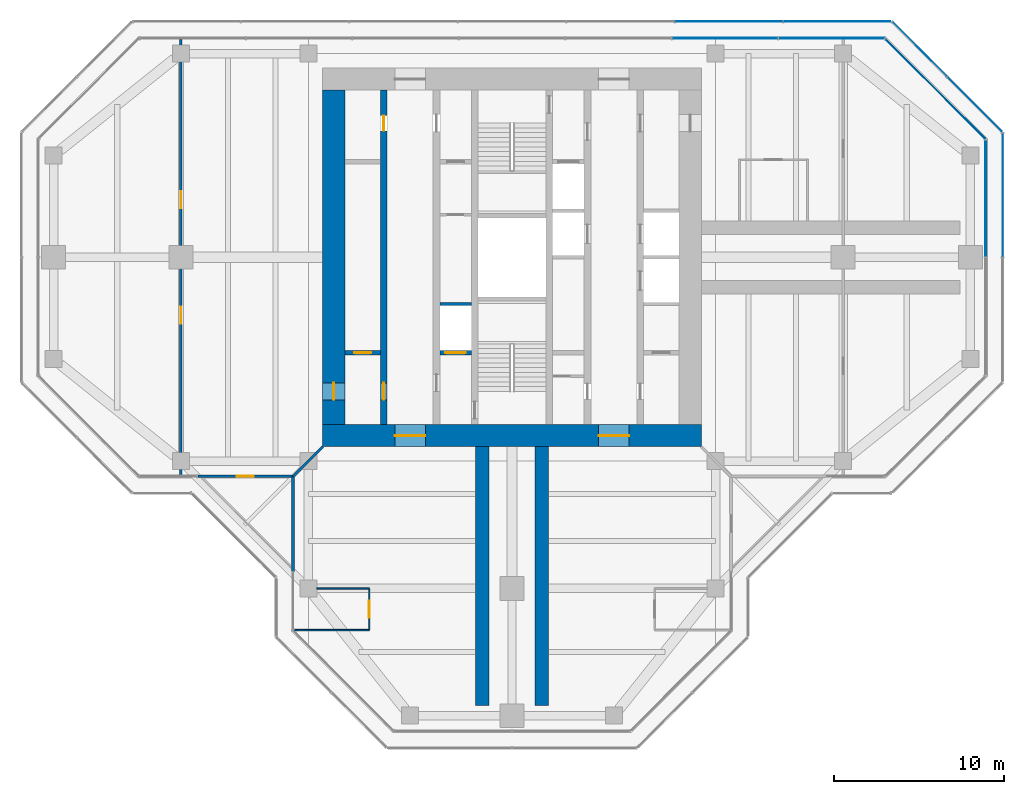
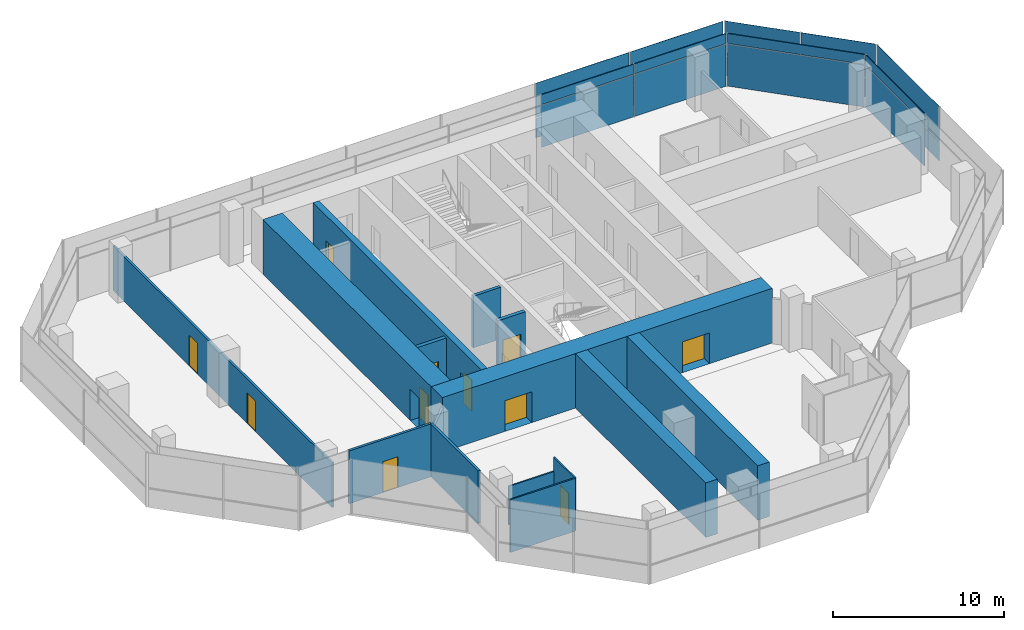
# One storey, part 11 of 15: 18 plates, 15 walls, 11 doors, 11 openings, 6 elements without a shape of their own.
"""IFC4 building model written with IfcOpenShell, lengths in metres."""

import ifcopenshell
import ifcopenshell.guid

model = None  # the IFC model being written
_history = None  # IfcOwnerHistory: only IFC2X3 demands one
_inside = {}  # id of a spatial element -> (the spatial element, [elements in it])
_under = {}  # id of a project, library or spatial element -> (it, [spatial elements below it])
_declared = {}  # id of a project -> (the project, [libraries it declares])
_typed = {}  # id of a type object -> (the type object, [elements of that type])
_made_of = {}  # id of a material, layer set ... -> (it, [elements and type objects made of it])


def new_model(schema):
    """Start an empty IFC model of exactly this schema.

    Asked for "IFC4X3", IfcOpenShell would pick the latest addendum, in which some entities
    have other attributes; the version numbers below select the first issue.
    IFC2X3 requires an IfcOwnerHistory on every rooted entity: one is made here for all.
    """
    global model, _history
    if schema == "IFC4X3":
        model = ifcopenshell.file(schema_version=(4, 3, 0, 0))
    else:
        model = ifcopenshell.file(schema=schema)
    _inside.clear()
    _under.clear()
    _declared.clear()
    _typed.clear()
    _made_of.clear()
    _history = None
    if model.schema == "IFC2X3":
        org = make("IfcOrganization", Name="unknown")
        user = make(
            "IfcPersonAndOrganization",
            ThePerson=make("IfcPerson", FamilyName="unknown"),
            TheOrganization=org,
        )
        app = make(
            "IfcApplication",
            ApplicationDeveloper=org,
            Version="unknown",
            ApplicationFullName="unknown",
            ApplicationIdentifier="unknown",
        )
        _history = make(
            "IfcOwnerHistory",
            OwningUser=user,
            OwningApplication=app,
            ChangeAction="ADDED",
            CreationDate=0,
        )
    return model


def make(cls, **values):
    """One entity of the class cls with the attributes given. An attribute that is None is left unset."""
    return model.create_entity(
        cls, **{name: value for name, value in values.items() if value is not None}
    )


def rooted(cls, **values):
    """An entity with a GlobalId (a new one), such as an element, a storey or a relation."""
    return make(cls, GlobalId=ifcopenshell.guid.new(), OwnerHistory=_history, **values)


def si_unit(unit_type, name, prefix=None):
    """IfcSIUnit, for example si_unit("LENGTHUNIT", "METRE", prefix="MILLI")."""
    return make("IfcSIUnit", UnitType=unit_type, Prefix=prefix, Name=name)


def assignment(units):
    """IfcUnitAssignment: the units of a project."""
    return None if units is None else make("IfcUnitAssignment", Units=units)


def point(xyz):
    """IfcCartesianPoint."""
    return None if xyz is None else make("IfcCartesianPoint", Coordinates=xyz)


def direction(xyz):
    """IfcDirection."""
    return None if xyz is None else make("IfcDirection", DirectionRatios=xyz)


def frame(location, z_axis=None, x_axis=None):
    """IfcAxis2Placement3D, a coordinate frame: its origin and axes. An axis left out is left unset."""
    return make(
        "IfcAxis2Placement3D",
        Location=point(location),
        Axis=direction(z_axis),
        RefDirection=direction(x_axis),
    )


def frame_2d(location, x_axis=None):
    """IfcAxis2Placement2D, a coordinate frame in the plane: its origin and x axis."""
    return make(
        "IfcAxis2Placement2D", Location=point(location), RefDirection=direction(x_axis)
    )


def origin():
    """The frame at (0, 0, 0) with its axes left unset."""
    return frame((0.0, 0.0, 0.0))


def origin_2d():
    """The frame at (0, 0) in the plane with its x axis left unset."""
    return frame_2d((0.0, 0.0))


def place(relative_to, where):
    """IfcLocalPlacement: puts the frame where relative to a parent placement (None: the world)."""
    return make(
        "IfcLocalPlacement", PlacementRelTo=relative_to, RelativePlacement=where
    )


def context(
    kind, dimensions, precision=None, world=None, true_north=None, identifier=None
):
    """IfcGeometricRepresentationContext, for example the 3D "Model" context."""
    return make(
        "IfcGeometricRepresentationContext",
        ContextIdentifier=identifier,
        ContextType=kind,
        CoordinateSpaceDimension=dimensions,
        Precision=precision,
        WorldCoordinateSystem=world,
        TrueNorth=true_north,
    )


def subcontext(parent, identifier, kind, view, scale=None):
    """IfcGeometricRepresentationSubContext, for example "Body" below "Model"."""
    return make(
        "IfcGeometricRepresentationSubContext",
        ContextIdentifier=identifier,
        ContextType=kind,
        ParentContext=parent,
        TargetScale=scale,
        TargetView=view,
    )


def project(units=None, contexts=None):
    """IfcProject with its units and contexts."""
    return rooted(
        "IfcProject",
        Name="project",
        RepresentationContexts=contexts,
        UnitsInContext=assignment(units),
    )


def spatial(cls, under=None, at=None, **own):
    """A site, building, storey or space (cls), placed at a placement, below another one or the project."""
    s = rooted(cls, ObjectPlacement=at, **own)
    if under is not None:
        _under.setdefault(under.id(), (under, []))[1].append(s)
    return s


def profile(cls, at=None, kind="AREA", **sizes):
    """A parametric profile (cls). Its sizes go by their IFC names, for example OverallWidth=200.0."""
    return make(cls, ProfileType=kind, Position=at, **sizes)


def rectangle(**sizes):
    """IfcRectangleProfileDef."""
    return profile("IfcRectangleProfileDef", **sizes)


def extrude(swept, where, along, depth):
    """IfcExtrudedAreaSolid: the profile swept, set in the frame where, extruded along a direction by depth."""
    return make(
        "IfcExtrudedAreaSolid",
        SweptArea=swept,
        Position=where,
        ExtrudedDirection=direction(along),
        Depth=depth,
    )


def shape(context_of_items, identifier, shape_type, items):
    """IfcShapeRepresentation: the items that make up one representation, for example the "Body"."""
    return make(
        "IfcShapeRepresentation",
        ContextOfItems=context_of_items,
        RepresentationIdentifier=identifier,
        RepresentationType=shape_type,
        Items=items,
    )


def material(Name=None, Category=None):
    """IfcMaterial."""
    return make("IfcMaterial", Name=Name, Category=Category)


def layer(
    of_material, thickness, ventilated=None, Name=None, Category=None, Priority=None
):
    """IfcMaterialLayer: one layer of a wall or slab, of a material (None: an air gap)."""
    return make(
        "IfcMaterialLayer",
        Material=of_material,
        LayerThickness=thickness,
        IsVentilated=ventilated,
        Name=Name,
        Category=Category,
        Priority=Priority,
    )


def layer_set(layers, Name=None):
    """IfcMaterialLayerSet."""
    return make("IfcMaterialLayerSet", MaterialLayers=layers, LayerSetName=Name)


def made_of(thing, what):
    """Note that an element or type object is made of a material, layer set ...; save() writes the relation."""
    if what is not None:
        _made_of.setdefault(what.id(), (what, []))[1].append(thing)
    return thing


def type_object(cls, material=None, **own):
    """A type object (cls), such as IfcWallType, which elements share."""
    return made_of(rooted(cls, **own), material)


def element(
    cls,
    number,
    at=None,
    inside=None,
    cuts=None,
    type_object=None,
    material=None,
    context=None,
    identifier="Body",
    shape_type=None,
    held_by="IfcProductDefinitionShape",
    body=None,
    shapes=None,
    **own,
):
    """One element of the class cls, such as IfcWall. Its Tag is "e" and its number.

    at: its placement. inside: the storey or other place that contains it. cuts: it is an
    opening in that element (IfcRelVoidsElement). A single representation is given by context,
    identifier, shape_type and body (its items); several are given by shapes. held_by: the class
    of the entity that holds the representations. save() writes the other relations.
    """
    e = rooted(cls, Tag="e%d" % number, ObjectPlacement=at, **own)
    if body is not None:
        shapes = [shape(context, identifier, shape_type, body)]
    if shapes is not None:
        e.Representation = make(held_by, Representations=shapes)
    if inside is not None:
        _inside.setdefault(inside.id(), (inside, []))[1].append(e)
    if cuts is not None:
        rooted(
            "IfcRelVoidsElement", RelatingBuildingElement=cuts, RelatedOpeningElement=e
        )
    if type_object is not None:
        _typed.setdefault(type_object.id(), (type_object, []))[1].append(e)
    return made_of(e, material)


def fill(opening, filler):
    """IfcRelFillsElement: the door or window that sits in an opening."""
    return rooted(
        "IfcRelFillsElement",
        RelatingOpeningElement=opening,
        RelatedBuildingElement=filler,
    )


def aggregate(whole, parts):
    """IfcRelAggregates: a whole, such as a stair, and the parts it consists of."""
    return rooted("IfcRelAggregates", RelatingObject=whole, RelatedObjects=parts)


def save(model, path):
    """Write the relations noted so far, then the file.

    IfcRelAggregates (storeys below a building ...), IfcRelContainedInSpatialStructure (elements
    in a storey), IfcRelDefinesByType, IfcRelAssociatesMaterial and IfcRelDeclares: one each for
    every whole, place, type object, material and project.
    """
    for whole, parts in _under.values():
        aggregate(whole, parts)
    for where, things in _inside.values():
        rooted(
            "IfcRelContainedInSpatialStructure",
            RelatedElements=things,
            RelatingStructure=where,
        )
    for kind, things in _typed.values():
        rooted("IfcRelDefinesByType", RelatedObjects=things, RelatingType=kind)
    for what, things in _made_of.values():
        rooted("IfcRelAssociatesMaterial", RelatedObjects=things, RelatingMaterial=what)
    for by, libraries in _declared.values():
        rooted("IfcRelDeclares", RelatingContext=by, RelatedDefinitions=libraries)
    model.write(path)


model = new_model("IFC4")

# Units and contexts
model_context = context("Model", 3, precision=1e-05, world=origin(), true_north=direction((0.0, 1.0)))
body_context = subcontext(model_context, "Body", "Model", "MODEL_VIEW")
ifc_project = project(units=[si_unit("LENGTHUNIT", "METRE"), si_unit("AREAUNIT", "SQUARE_METRE"), si_unit("VOLUMEUNIT", "CUBIC_METRE"), si_unit("PLANEANGLEUNIT", "RADIAN"), si_unit("MASSUNIT", "GRAM", prefix="KILO")], contexts=[model_context])

# Site, building, storey
site_placement = place(None, origin())
site = spatial("IfcSite", under=ifc_project, at=site_placement, CompositionType="ELEMENT")
building_placement = place(site_placement, origin())
building = spatial("IfcBuilding", under=site, at=building_placement, Name="Mizan Broadcast Tower", CompositionType="ELEMENT")
storey_placement = place(building_placement, frame((0.0, 0.0, 298.5)))
storey = spatial("IfcBuildingStorey", under=building, at=storey_placement, Name="L71", CompositionType="ELEMENT", Elevation=298.5)

# Curtain wall, plate
ifc_material_1 = material(Name="Aluminium framed glazing", Category="aluminium")
curtain_wall_type_1 = type_object("IfcCurtainWallType", Name="INNER SKIN TOP ZONE", PredefinedType="USERDEFINED", material=ifc_material_1)
curtain_wall_1_placement = place(storey_placement, origin())
curtain_wall_1 = element("IfcCurtainWall", 1, at=curtain_wall_1_placement, inside=storey, type_object=curtain_wall_type_1, Name="Inner skin top zone L71 E end", ObjectType="INNER SKIN TOP ZONE", PredefinedType="USERDEFINED")
ifc_material_2 = material(Name="Double glazing, clear low-e", Category="glass")
ifc_layer_1 = layer(ifc_material_2, 0.028076171875)
ifc_layer_set_1 = layer_set([ifc_layer_1], Name="Double glazing, clear low-e")
plate_type_1 = type_object("IfcPlateType", Name="INNER SKIN GLAZING UNIT", PredefinedType="CURTAIN_PANEL", material=ifc_layer_set_1)
plate_1_placement = place(storey_placement, frame((27.89990234375, 3.46435546875, 0.0), z_axis=(0.0, 0.0, 1.0), x_axis=(0.0, 1.0, 0.0)))
plate_1 = element("IfcPlate", 2, at=plate_1_placement, type_object=plate_type_1, Name="Inner skin top zone L71 E end panel 2.1", PredefinedType="CURTAIN_PANEL", context=body_context, shape_type="SweptSolid", body=[
    extrude(rectangle(XDim=6.86865234375, YDim=0.028076171875, at=origin_2d()), origin(), (0.0, 0.0, 1.0), 3.0),
])

curtain_wall_2_placement = place(storey_placement, origin())
curtain_wall_2 = element("IfcCurtainWall", 3, at=curtain_wall_2_placement, inside=storey, type_object=curtain_wall_type_1, Name="Inner skin top zone L71 E chamfer", ObjectType="INNER SKIN TOP ZONE", PredefinedType="USERDEFINED")
plate_2_placement = place(storey_placement, frame((24.92919921875, 9.92919921875, 0.0), z_axis=(0.0, 0.0, 1.0), x_axis=(-0.707106781187, 0.707106781187, 0.0)))
plate_2 = element("IfcPlate", 4, at=plate_2_placement, type_object=plate_type_1, Name="Inner skin top zone L71 E chamfer panel 1.1", PredefinedType="CURTAIN_PANEL", context=body_context, shape_type="SweptSolid", body=[
    extrude(rectangle(XDim=8.282470703125, YDim=0.028076171875, at=origin_2d()), origin(), (0.0, 0.0, 1.0), 3.0),
])

# Curtain wall, plates
curtain_wall_3_placement = place(storey_placement, origin())
curtain_wall_3 = element("IfcCurtainWall", 5, at=curtain_wall_3_placement, inside=storey, type_object=curtain_wall_type_1, Name="Inner skin top zone L71 N end", ObjectType="INNER SKIN TOP ZONE", PredefinedType="USERDEFINED")
plate_3_placement = place(storey_placement, frame((18.806640625, 12.89990234375, 0.0), z_axis=(0.0, 0.0, 1.0), x_axis=(-1.0, 0.0, 0.0)))
plate_3 = element("IfcPlate", 6, at=plate_3_placement, type_object=plate_type_1, Name="Inner skin top zone L71 N end panel 1.1", PredefinedType="CURTAIN_PANEL", context=body_context, shape_type="SweptSolid", body=[
    extrude(rectangle(XDim=6.183837890625, YDim=0.028076171875, at=origin_2d()), origin(), (0.0, 0.0, 1.0), 3.0),
])
plate_4_placement = place(storey_placement, frame((12.5478515625, 12.89990234375, 0.0), z_axis=(0.0, 0.0, 1.0), x_axis=(-1.0, 0.0, 0.0)))
plate_4 = element("IfcPlate", 7, at=plate_4_placement, type_object=plate_type_1, Name="Inner skin top zone L71 N end panel 2.1", PredefinedType="CURTAIN_PANEL", context=body_context, shape_type="SweptSolid", body=[
    extrude(rectangle(XDim=6.2138671875, YDim=0.028076171875, at=origin_2d()), origin(), (0.0, 0.0, 1.0), 3.0),
])

# Plate
ifc_material_3 = material(Name="Insulated aluminium spandrel panel, pale anodised", Category="aluminium")
ifc_layer_2 = layer(ifc_material_3, 0.050048828125)
ifc_layer_set_2 = layer_set([ifc_layer_2], Name="Insulated aluminium spandrel panel, pale anodised")
plate_type_2 = type_object("IfcPlateType", Name="INNER SKIN SPANDREL PANEL", PredefinedType="CURTAIN_PANEL", material=ifc_layer_set_2)
plate_5_placement = place(storey_placement, frame((27.89990234375, 3.46435546875, 3.06005859375), z_axis=(0.0, 0.0, 1.0), x_axis=(0.0, 1.0, 0.0)))
plate_5 = element("IfcPlate", 8, at=plate_5_placement, type_object=plate_type_2, Name="Inner skin top zone L71 E end panel 2.2", PredefinedType="CURTAIN_PANEL", context=body_context, shape_type="SweptSolid", body=[
    extrude(rectangle(XDim=6.86865234375, YDim=0.050048828125, at=origin_2d()), origin(), (0.0, 0.0, 1.0), 0.7099609375),
])

aggregate(curtain_wall_1, [plate_1, plate_5])

plate_6_placement = place(storey_placement, frame((24.92919921875, 9.92919921875, 3.06005859375), z_axis=(0.0, 0.0, 1.0), x_axis=(-0.707106781187, 0.707106781187, 0.0)))
plate_6 = element("IfcPlate", 9, at=plate_6_placement, type_object=plate_type_2, Name="Inner skin top zone L71 E chamfer panel 1.2", PredefinedType="CURTAIN_PANEL", context=body_context, shape_type="SweptSolid", body=[
    extrude(rectangle(XDim=8.282470703125, YDim=0.050048828125, at=origin_2d()), origin(), (0.0, 0.0, 1.0), 0.7099609375),
])

aggregate(curtain_wall_2, [plate_2, plate_6])

plate_7_placement = place(storey_placement, frame((18.806640625, 12.89990234375, 3.06005859375), z_axis=(0.0, 0.0, 1.0), x_axis=(-1.0, 0.0, 0.0)))
plate_7 = element("IfcPlate", 10, at=plate_7_placement, type_object=plate_type_2, Name="Inner skin top zone L71 N end panel 1.2", PredefinedType="CURTAIN_PANEL", context=body_context, shape_type="SweptSolid", body=[
    extrude(rectangle(XDim=6.183837890625, YDim=0.050048828125, at=origin_2d()), origin(), (0.0, 0.0, 1.0), 0.7099609375),
])

plate_8_placement = place(storey_placement, frame((12.5478515625, 12.89990234375, 3.06005859375), z_axis=(0.0, 0.0, 1.0), x_axis=(-1.0, 0.0, 0.0)))
plate_8 = element("IfcPlate", 11, at=plate_8_placement, type_object=plate_type_2, Name="Inner skin top zone L71 N end panel 2.2", PredefinedType="CURTAIN_PANEL", context=body_context, shape_type="SweptSolid", body=[
    extrude(rectangle(XDim=6.2138671875, YDim=0.050048828125, at=origin_2d()), origin(), (0.0, 0.0, 1.0), 0.7099609375),
])

aggregate(curtain_wall_3, [plate_3, plate_7, plate_4, plate_8])

# Curtain wall, plates
ifc_material_4 = material(Name="Aluminium framed glazing", Category="aluminium")
curtain_wall_type_2 = type_object("IfcCurtainWallType", Name="OUTER SKIN", PredefinedType="USERDEFINED", material=ifc_material_4)
curtain_wall_4_placement = place(storey_placement, origin())
curtain_wall_4 = element("IfcCurtainWall", 12, at=curtain_wall_4_placement, inside=storey, type_object=curtain_wall_type_2, Name="Outer skin L71 E chamfer", ObjectType="OUTER SKIN", PredefinedType="USERDEFINED")
ifc_material_5 = material(Name="Laminated clear glass", Category="glass")
ifc_layer_3 = layer(ifc_material_5, 0.02001953125)
ifc_layer_set_3 = layer_set([ifc_layer_3], Name="Laminated clear glass")
plate_type_3 = type_object("IfcPlateType", Name="OUTER SKIN CLEAR GLASS", PredefinedType="CURTAIN_PANEL", material=ifc_layer_set_3)
plate_9_placement = place(storey_placement, frame((27.254150390625, 9.018798828125, 0.0), z_axis=(0.0, 0.0, 1.0), x_axis=(-0.707106781187, 0.707106781187, 0.0)))
plate_9 = element("IfcPlate", 13, at=plate_9_placement, type_object=plate_type_3, Name="Outer skin L71 E chamfer panel 1.1", PredefinedType="CURTAIN_PANEL", context=body_context, shape_type="SweptSolid", body=[
    extrude(rectangle(XDim=4.495361328125, YDim=0.02001953125, at=origin_2d()), origin(), (0.0, 0.0, 1.0), 1.3701171875),
])
plate_10_placement = place(storey_placement, frame((27.254150390625, 9.018798828125, 1.43017578125), z_axis=(0.0, 0.0, 1.0), x_axis=(-0.707106781187, 0.707106781187, 0.0)))
plate_10 = element("IfcPlate", 14, at=plate_10_placement, type_object=plate_type_3, Name="Outer skin L71 E chamfer panel 1.2", PredefinedType="CURTAIN_PANEL", context=body_context, shape_type="SweptSolid", body=[
    extrude(rectangle(XDim=4.495361328125, YDim=0.02001953125, at=origin_2d()), origin(), (0.0, 0.0, 1.0), 2.469970703125),
])

curtain_wall_5_placement = place(storey_placement, origin())
curtain_wall_5 = element("IfcCurtainWall", 15, at=curtain_wall_5_placement, inside=storey, type_object=curtain_wall_type_2, Name="Outer skin L71 N end", ObjectType="OUTER SKIN", PredefinedType="USERDEFINED")
plate_11_placement = place(storey_placement, frame((19.15673828125, 13.89990234375, 0.0), z_axis=(0.0, 0.0, 1.0), x_axis=(-1.0, 0.0, 0.0)))
plate_11 = element("IfcPlate", 16, at=plate_11_placement, type_object=plate_type_3, Name="Outer skin L71 N end panel 1.1", PredefinedType="CURTAIN_PANEL", context=body_context, shape_type="SweptSolid", body=[
    extrude(rectangle(XDim=6.272216796875, YDim=0.02001953125, at=origin_2d()), origin(), (0.0, 0.0, 1.0), 1.3701171875),
])
plate_12_placement = place(storey_placement, frame((19.15673828125, 13.89990234375, 1.43017578125), z_axis=(0.0, 0.0, 1.0), x_axis=(-1.0, 0.0, 0.0)))
plate_12 = element("IfcPlate", 17, at=plate_12_placement, type_object=plate_type_3, Name="Outer skin L71 N end panel 1.2", PredefinedType="CURTAIN_PANEL", context=body_context, shape_type="SweptSolid", body=[
    extrude(rectangle(XDim=6.272216796875, YDim=0.02001953125, at=origin_2d()), origin(), (0.0, 0.0, 1.0), 2.469970703125),
])
plate_13_placement = place(storey_placement, frame((12.784423828125, 13.89990234375, 0.0), z_axis=(0.0, 0.0, 1.0), x_axis=(-1.0, 0.0, 0.0)))
plate_13 = element("IfcPlate", 18, at=plate_13_placement, type_object=plate_type_3, Name="Outer skin L71 N end panel 2.1", PredefinedType="CURTAIN_PANEL", context=body_context, shape_type="SweptSolid", body=[
    extrude(rectangle(XDim=6.312255859375, YDim=0.02001953125, at=origin_2d()), origin(), (0.0, 0.0, 1.0), 1.3701171875),
])
plate_14_placement = place(storey_placement, frame((12.784423828125, 13.89990234375, 1.43017578125), z_axis=(0.0, 0.0, 1.0), x_axis=(-1.0, 0.0, 0.0)))
plate_14 = element("IfcPlate", 19, at=plate_14_placement, type_object=plate_type_3, Name="Outer skin L71 N end panel 2.2", PredefinedType="CURTAIN_PANEL", context=body_context, shape_type="SweptSolid", body=[
    extrude(rectangle(XDim=6.312255859375, YDim=0.02001953125, at=origin_2d()), origin(), (0.0, 0.0, 1.0), 2.469970703125),
])
aggregate(curtain_wall_5, [plate_11, plate_12, plate_13, plate_14])

curtain_wall_6_placement = place(storey_placement, origin())
curtain_wall_6 = element("IfcCurtainWall", 20, at=curtain_wall_6_placement, inside=storey, type_object=curtain_wall_type_2, Name="Outer skin L71 E end", ObjectType="OUTER SKIN", PredefinedType="USERDEFINED")
ifc_material_6 = material(Name="Perforated aluminium, pale anodised", Category="aluminium")
ifc_layer_4 = layer(ifc_material_6, 0.011962890625)
ifc_layer_set_4 = layer_set([ifc_layer_4], Name="Perforated aluminium, pale anodised")
plate_type_4 = type_object("IfcPlateType", Name="OUTER SKIN PERFORATED SCREEN", PredefinedType="USERDEFINED", material=ifc_layer_set_4)
plate_15_placement = place(storey_placement, frame((28.89990234375, 3.66650390625, 0.0), z_axis=(0.0, 0.0, 1.0), x_axis=(0.0, 1.0, 0.0)))
plate_15 = element("IfcPlate", 21, at=plate_15_placement, type_object=plate_type_4, Name="Outer skin L71 E end panel 2.1", ObjectType="SCREEN", PredefinedType="USERDEFINED", context=body_context, shape_type="SweptSolid", body=[
    extrude(rectangle(XDim=7.252685546875, YDim=0.011962890625, at=origin_2d()), origin(), (0.0, 0.0, 1.0), 1.3701171875),
])
plate_16_placement = place(storey_placement, frame((28.89990234375, 3.66650390625, 1.43017578125), z_axis=(0.0, 0.0, 1.0), x_axis=(0.0, 1.0, 0.0)))
plate_16 = element("IfcPlate", 22, at=plate_16_placement, type_object=plate_type_4, Name="Outer skin L71 E end panel 2.2", ObjectType="SCREEN", PredefinedType="USERDEFINED", context=body_context, shape_type="SweptSolid", body=[
    extrude(rectangle(XDim=7.252685546875, YDim=0.011962890625, at=origin_2d()), origin(), (0.0, 0.0, 1.0), 2.469970703125),
])
aggregate(curtain_wall_6, [plate_15, plate_16])

# Plate
plate_17_placement = place(storey_placement, frame((24.018798828125, 12.254150390625, 0.0), z_axis=(0.0, 0.0, 1.0), x_axis=(-0.707106781187, 0.707106781187, 0.0)))
plate_17 = element("IfcPlate", 23, at=plate_17_placement, type_object=plate_type_4, Name="Outer skin L71 E chamfer panel 2.1", ObjectType="SCREEN", PredefinedType="USERDEFINED", context=body_context, shape_type="SweptSolid", body=[
    extrude(rectangle(XDim=4.495361328125, YDim=0.011962890625, at=origin_2d()), origin(), (0.0, 0.0, 1.0), 1.3701171875),
])

plate_18_placement = place(storey_placement, frame((24.018798828125, 12.254150390625, 1.43017578125), z_axis=(0.0, 0.0, 1.0), x_axis=(-0.707106781187, 0.707106781187, 0.0)))
plate_18 = element("IfcPlate", 24, at=plate_18_placement, type_object=plate_type_4, Name="Outer skin L71 E chamfer panel 2.2", ObjectType="SCREEN", PredefinedType="USERDEFINED", context=body_context, shape_type="SweptSolid", body=[
    extrude(rectangle(XDim=4.495361328125, YDim=0.011962890625, at=origin_2d()), origin(), (0.0, 0.0, 1.0), 2.469970703125),
])

aggregate(curtain_wall_4, [plate_9, plate_10, plate_17, plate_18])

# Wall, openings, doors
ifc_material_7 = material(Name="Concrete C70/85", Category="concrete")
ifc_layer_5 = layer(ifc_material_7, 0.39990234375)
ifc_layer_set_5 = layer_set([ifc_layer_5], Name="Concrete C70/85")
wall_type_1 = type_object("IfcWallType", Name="CORE INTERNAL WALL 400", PredefinedType="SHEAR", material=ifc_layer_set_5)
wall_1_placement = place(storey_placement, frame((-7.550048828125, -9.85009765625, 0.0), z_axis=(0.0, 0.0, 1.0), x_axis=(0.0, 1.0, 0.0)))
wall_1 = element("IfcWall", 25, at=wall_1_placement, inside=storey, type_object=wall_type_1, Name="Core wall CORE/XW1", PredefinedType="SHEAR", context=body_context, shape_type="SweptSolid", body=[
    extrude(rectangle(XDim=19.7001953125, YDim=0.39990234375, at=frame_2d((9.85009765625, 0.0))), origin(), (0.0, 0.0, 1.0), 3.89990234375),
])
opening_1_placement = place(wall_1_placement, frame((1.449951171875, 0.0, 0.0)))
opening_1 = element("IfcOpeningElement", 26, at=opening_1_placement, cuts=wall_1, Name="Opening D10F", PredefinedType="OPENING", context=body_context, shape_type="SweptSolid", body=[
    extrude(rectangle(XDim=1.0, YDim=2.199951171875, at=frame_2d((0.5, 1.10009765625))), frame((0.0, 0.2099609375, 0.0), z_axis=(0.0, -1.0, 0.0), x_axis=(1.0, 0.0, 0.0)), (0.0, 0.0, 1.0), 0.419921875),
])
opening_2_placement = place(wall_1_placement, frame((17.300048828125, 0.0, 0.0)))
opening_2 = element("IfcOpeningElement", 27, at=opening_2_placement, cuts=wall_1, Name="Opening D09", PredefinedType="OPENING", context=body_context, shape_type="SweptSolid", body=[
    extrude(rectangle(XDim=0.89990234375, YDim=2.10009765625, at=frame_2d((0.449951171875, 1.050048828125))), frame((0.0, 0.2099609375, 0.0), z_axis=(0.0, -1.0, 0.0), x_axis=(1.0, 0.0, 0.0)), (0.0, 0.0, 1.0), 0.419921875),
])
ifc_material_8 = material(Name="Steel door leaf in steel frame", Category="steel")
door_type_1 = type_object("IfcDoorType", Name="FIRE DOOR 1000 FD90", OperationType="SINGLE_SWING_LEFT", PredefinedType="DOOR", material=ifc_material_8)
door_1_placement = place(opening_1_placement, origin())
door_1 = element("IfcDoor", 28, at=door_1_placement, inside=storey, type_object=door_type_1, Name="West core passage door", OperationType="SINGLE_SWING_LEFT", OverallHeight=2.199951171875, OverallWidth=1.0, PredefinedType="DOOR", context=body_context, shape_type="SweptSolid", body=[
    extrude(rectangle(XDim=1.0, YDim=2.199951171875, at=frame_2d((0.5, 1.10009765625))), frame((0.0, 0.02490234375, 0.0), z_axis=(0.0, -1.0, 0.0), x_axis=(1.0, 0.0, 0.0)), (0.0, 0.0, 1.0), 0.050048828125),
])
fill(opening_1, door_1)
ifc_material_9 = material(Name="Timber door leaf in aluminium frame", Category="wood")
door_type_2 = type_object("IfcDoorType", Name="TOILET DOOR 900", OperationType="SINGLE_SWING_LEFT", PredefinedType="DOOR", material=ifc_material_9)
door_2_placement = place(opening_2_placement, origin())
door_2 = element("IfcDoor", 29, at=door_2_placement, inside=storey, type_object=door_type_2, Name="Male WC door", OperationType="SINGLE_SWING_RIGHT", OverallHeight=2.10009765625, OverallWidth=0.89990234375, PredefinedType="DOOR", context=body_context, shape_type="SweptSolid", body=[
    extrude(rectangle(XDim=0.89990234375, YDim=2.10009765625, at=frame_2d((0.449951171875, 1.050048828125))), frame((0.0, 0.02490234375, 0.0), z_axis=(0.0, -1.0, 0.0), x_axis=(1.0, 0.0, 0.0)), (0.0, 0.0, 1.0), 0.050048828125),
])
fill(opening_2, door_2)

ifc_material_10 = material(Name="Concrete C70/85", Category="concrete")
ifc_layer_6 = layer(ifc_material_10, 1.300048828125)
ifc_layer_set_6 = layer_set([ifc_layer_6], Name="Concrete C70/85")
wall_type_2 = type_object("IfcWallType", Name="CORE WALL 1300", PredefinedType="SHEAR", material=ifc_layer_set_6)
wall_2_placement = place(storey_placement, frame((11.14990234375, -10.5, 0.0), z_axis=(0.0, 0.0, 1.0), x_axis=(-1.0, 0.0, 0.0)))
wall_2 = element("IfcWall", 30, at=wall_2_placement, inside=storey, type_object=wall_type_2, Name="Core wall S L71", PredefinedType="SHEAR", context=body_context, shape_type="SweptSolid", body=[
    extrude(rectangle(XDim=22.2998046875, YDim=1.300048828125, at=frame_2d((11.14990234375, 0.0))), origin(), (0.0, 0.0, 1.0), 3.89990234375),
])
opening_3_placement = place(wall_2_placement, frame((16.25, 0.0, 0.0)))
opening_3 = element("IfcOpeningElement", 31, at=opening_3_placement, cuts=wall_2, Name="Opening D18F", PredefinedType="OPENING", context=body_context, shape_type="SweptSolid", body=[
    extrude(rectangle(XDim=1.800048828125, YDim=2.199951171875, at=frame_2d((0.89990234375, 1.10009765625))), frame((0.0, 0.659912109375, 0.0), z_axis=(0.0, -1.0, 0.0), x_axis=(1.0, 0.0, 0.0)), (0.0, 0.0, 1.0), 1.320068359375),
])
opening_4_placement = place(wall_2_placement, frame((4.25, 0.0, 0.0)))
opening_4 = element("IfcOpeningElement", 32, at=opening_4_placement, cuts=wall_2, Name="Opening D18F", PredefinedType="OPENING", context=body_context, shape_type="SweptSolid", body=[
    extrude(rectangle(XDim=1.800048828125, YDim=2.199951171875, at=frame_2d((0.89990234375, 1.10009765625))), frame((0.0, 0.659912109375, 0.0), z_axis=(0.0, -1.0, 0.0), x_axis=(1.0, 0.0, 0.0)), (0.0, 0.0, 1.0), 1.320068359375),
])
ifc_material_11 = material(Name="Steel door leaf in steel frame", Category="steel")
door_type_3 = type_object("IfcDoorType", Name="LOBBY DOUBLE DOOR 1800 FD90", OperationType="DOUBLE_DOOR_DOUBLE_SWING", PredefinedType="DOOR", material=ifc_material_11)
door_3_placement = place(opening_3_placement, origin())
door_3 = element("IfcDoor", 33, at=door_3_placement, inside=storey, type_object=door_type_3, Name="West lift lobby south door", OperationType="DOUBLE_DOOR_DOUBLE_SWING", OverallHeight=2.199951171875, OverallWidth=1.800048828125, PredefinedType="DOOR", context=body_context, shape_type="SweptSolid", body=[
    extrude(rectangle(XDim=1.800048828125, YDim=2.199951171875, at=frame_2d((0.89990234375, 1.10009765625))), frame((0.0, 0.02490234375, 0.0), z_axis=(0.0, -1.0, 0.0), x_axis=(1.0, 0.0, 0.0)), (0.0, 0.0, 1.0), 0.050048828125),
])
fill(opening_3, door_3)
door_4_placement = place(opening_4_placement, origin())
door_4 = element("IfcDoor", 34, at=door_4_placement, inside=storey, type_object=door_type_3, Name="East lift lobby south door", OperationType="DOUBLE_DOOR_DOUBLE_SWING", OverallHeight=2.199951171875, OverallWidth=1.800048828125, PredefinedType="DOOR", context=body_context, shape_type="SweptSolid", body=[
    extrude(rectangle(XDim=1.800048828125, YDim=2.199951171875, at=frame_2d((0.89990234375, 1.10009765625))), frame((0.0, 0.02490234375, 0.0), z_axis=(0.0, -1.0, 0.0), x_axis=(1.0, 0.0, 0.0)), (0.0, 0.0, 1.0), 0.050048828125),
])
fill(opening_4, door_4)

# Wall, opening, door
wall_3_placement = place(storey_placement, frame((-10.5, 9.85009765625, 0.0), z_axis=(0.0, 0.0, 1.0), x_axis=(0.0, -1.0, 0.0)))
wall_3 = element("IfcWall", 35, at=wall_3_placement, inside=storey, type_object=wall_type_2, Name="Core wall W L71", PredefinedType="SHEAR", context=body_context, shape_type="SweptSolid", body=[
    extrude(rectangle(XDim=19.7001953125, YDim=1.300048828125, at=frame_2d((9.85009765625, 0.0))), origin(), (0.0, 0.0, 1.0), 3.89990234375),
])
opening_5_placement = place(wall_3_placement, frame((17.25, 0.0, 0.0)))
opening_5 = element("IfcOpeningElement", 36, at=opening_5_placement, cuts=wall_3, Name="Opening D10F", PredefinedType="OPENING", context=body_context, shape_type="SweptSolid", body=[
    extrude(rectangle(XDim=1.0, YDim=2.199951171875, at=frame_2d((0.5, 1.10009765625))), frame((0.0, 0.659912109375, 0.0), z_axis=(0.0, -1.0, 0.0), x_axis=(1.0, 0.0, 0.0)), (0.0, 0.0, 1.0), 1.320068359375),
])
door_5_placement = place(opening_5_placement, origin())
door_5 = element("IfcDoor", 37, at=door_5_placement, inside=storey, type_object=door_type_1, Name="West core passage arm door", OperationType="SINGLE_SWING_RIGHT", OverallHeight=2.199951171875, OverallWidth=1.0, PredefinedType="DOOR", context=body_context, shape_type="SweptSolid", body=[
    extrude(rectangle(XDim=1.0, YDim=2.199951171875, at=frame_2d((0.5, 1.10009765625))), frame((0.0, 0.02490234375, 0.0), z_axis=(0.0, -1.0, 0.0), x_axis=(1.0, 0.0, 0.0)), (0.0, 0.0, 1.0), 0.050048828125),
])
fill(opening_5, door_5)

ifc_material_12 = material(Name="Aluminium framed glazed screen", Category="aluminium")
ifc_layer_7 = layer(ifc_material_12, 0.159912109375)
ifc_layer_set_7 = layer_set([ifc_layer_7], Name="Aluminium framed glazed screen")
wall_type_3 = type_object("IfcWallType", Name="GLAZED SCREEN WALL 160", PredefinedType="SOLIDWALL", material=ifc_layer_set_7)
wall_4_placement = place(storey_placement, frame((-18.5, -12.89990234375, 0.0), z_axis=(0.0, 0.0, 1.0), x_axis=(1.0, 0.0, 0.0)))
wall_4 = element("IfcWall", 38, at=wall_4_placement, inside=storey, type_object=wall_type_3, Name="Winter garden screen L71 W", PredefinedType="SOLIDWALL", context=body_context, shape_type="SweptSolid", body=[
    extrude(rectangle(XDim=5.60009765625, YDim=0.159912109375, at=frame_2d((2.800048828125, 0.0))), origin(), (0.0, 0.0, 1.0), 3.77001953125),
])
opening_6_placement = place(wall_4_placement, frame((2.300048828125, 0.0, 0.0)))
opening_6 = element("IfcOpeningElement", 39, at=opening_6_placement, cuts=wall_4, Name="Opening WGD", PredefinedType="OPENING", context=body_context, shape_type="SweptSolid", body=[
    extrude(rectangle(XDim=1.0, YDim=2.199951171875, at=frame_2d((0.5, 1.10009765625))), frame((0.0, 0.08984375, 0.0), z_axis=(0.0, -1.0, 0.0), x_axis=(1.0, 0.0, 0.0)), (0.0, 0.0, 1.0), 0.179931640625),
])
ifc_material_13 = material(Name="Aluminium framed glazed door", Category="aluminium")
door_type_4 = type_object("IfcDoorType", Name="WINTER GARDEN DOOR 1000 GLAZED", OperationType="SINGLE_SWING_LEFT", PredefinedType="DOOR", material=ifc_material_13)
door_6_placement = place(opening_6_placement, origin())
door_6 = element("IfcDoor", 40, at=door_6_placement, inside=storey, type_object=door_type_4, Name="Winter garden door L71 W", OperationType="SINGLE_SWING_RIGHT", OverallHeight=2.199951171875, OverallWidth=1.0, PredefinedType="DOOR", context=body_context, shape_type="SweptSolid", body=[
    extrude(rectangle(XDim=1.0, YDim=2.199951171875, at=frame_2d((0.5, 1.10009765625))), frame((0.0, 0.02490234375, 0.0), z_axis=(0.0, -1.0, 0.0), x_axis=(1.0, 0.0, 0.0)), (0.0, 0.0, 1.0), 0.050048828125),
])
fill(opening_6, door_6)

# Walls
wall_5_placement = place(storey_placement, frame((-12.89990234375, -12.89990234375, 0.0), z_axis=(0.0, 0.0, 1.0), x_axis=(0.0, -1.0, 0.0)))
element("IfcWall", 41, at=wall_5_placement, inside=storey, type_object=wall_type_3, Name="Winter garden screen L71 S", PredefinedType="SOLIDWALL", context=body_context, shape_type="SweptSolid", body=[
    extrude(rectangle(XDim=5.60009765625, YDim=0.159912109375, at=frame_2d((2.800048828125, 0.0))), origin(), (0.0, 0.0, 1.0), 3.77001953125),
])
ifc_material_14 = material(Name="Concrete blockwork", Category="masonry")
ifc_layer_8 = layer(ifc_material_14, 0.199951171875)
ifc_layer_set_8 = layer_set([ifc_layer_8], Name="Concrete blockwork")
wall_type_4 = type_object("IfcWallType", Name="LIFT SHAFT WALL 200", PredefinedType="SOLIDWALL", material=ifc_layer_set_8)
wall_6_placement = place(storey_placement, frame((-4.25, -2.75, 0.0), z_axis=(0.0, 0.0, 1.0), x_axis=(1.0, 0.0, 0.0)))
element("IfcWall", 42, at=wall_6_placement, inside=storey, type_object=wall_type_4, Name="Lift shaft wall CORE/SW2-1", PredefinedType="SOLIDWALL", context=body_context, shape_type="SweptSolid", body=[
    extrude(rectangle(XDim=1.85009765625, YDim=0.199951171875, at=frame_2d((0.925048828125, 0.0))), origin(), (0.0, 0.0, 1.0), 3.699951171875),
])

# Wall, opening, door
ifc_material_15 = material(Name="Concrete blockwork", Category="masonry")
ifc_layer_9 = layer(ifc_material_15, 0.25)
ifc_layer_set_9 = layer_set([ifc_layer_9], Name="Concrete blockwork")
wall_type_5 = type_object("IfcWallType", Name="LOBBY ENCLOSURE WALL 250", PredefinedType="SOLIDWALL", material=ifc_layer_set_9)
wall_7_placement = place(storey_placement, frame((-9.85009765625, -5.625, 0.0), z_axis=(0.0, 0.0, 1.0), x_axis=(1.0, 0.0, 0.0)))
wall_7 = element("IfcWall", 43, at=wall_7_placement, inside=storey, type_object=wall_type_5, Name="Lobby enclosure wall CORE/BW1S", PredefinedType="SOLIDWALL", context=body_context, shape_type="SweptSolid", body=[
    extrude(rectangle(XDim=2.10009765625, YDim=0.25, at=frame_2d((1.050048828125, 0.0))), origin(), (0.0, 0.0, 1.0), 3.699951171875),
])
opening_7_placement = place(wall_7_placement, frame((0.550048828125, 0.0, 0.0)))
opening_7 = element("IfcOpeningElement", 44, at=opening_7_placement, cuts=wall_7, Name="Opening D10F", PredefinedType="OPENING", context=body_context, shape_type="SweptSolid", body=[
    extrude(rectangle(XDim=1.0, YDim=2.199951171875, at=frame_2d((0.5, 1.10009765625))), frame((0.0, 0.135009765625, 0.0), z_axis=(0.0, -1.0, 0.0), x_axis=(1.0, 0.0, 0.0)), (0.0, 0.0, 1.0), 0.27001953125),
])
door_7_placement = place(opening_7_placement, origin())
door_7 = element("IfcDoor", 45, at=door_7_placement, inside=storey, type_object=door_type_1, Name="Print and post room door", OperationType="SINGLE_SWING_RIGHT", OverallHeight=2.199951171875, OverallWidth=1.0, PredefinedType="DOOR", context=body_context, shape_type="SweptSolid", body=[
    extrude(rectangle(XDim=1.0, YDim=2.199951171875, at=frame_2d((0.5, 1.10009765625))), frame((0.0, 0.02490234375, 0.0), z_axis=(0.0, -1.0, 0.0), x_axis=(1.0, 0.0, 0.0)), (0.0, 0.0, 1.0), 0.050048828125),
])
fill(opening_7, door_7)

wall_8_placement = place(storey_placement, frame((-4.25, -5.625, 0.0), z_axis=(0.0, 0.0, 1.0), x_axis=(1.0, 0.0, 0.0)))
wall_8 = element("IfcWall", 46, at=wall_8_placement, inside=storey, type_object=wall_type_5, Name="Lobby enclosure wall CORE/BW2S", PredefinedType="SOLIDWALL", context=body_context, shape_type="SweptSolid", body=[
    extrude(rectangle(XDim=1.85009765625, YDim=0.25, at=frame_2d((0.925048828125, 0.0))), origin(), (0.0, 0.0, 1.0), 3.699951171875),
])
opening_8_placement = place(wall_8_placement, frame((0.324951171875, 0.0, 0.0)))
opening_8 = element("IfcOpeningElement", 47, at=opening_8_placement, cuts=wall_8, Name="Opening LDF", PredefinedType="OPENING", context=body_context, shape_type="SweptSolid", body=[
    extrude(rectangle(XDim=1.199951171875, YDim=2.199951171875, at=frame_2d((0.60009765625, 1.10009765625))), frame((0.0, 0.135009765625, 0.0), z_axis=(0.0, -1.0, 0.0), x_axis=(1.0, 0.0, 0.0)), (0.0, 0.0, 1.0), 0.27001953125),
])
ifc_material_16 = material(Name="Steel door leaf in steel frame", Category="steel")
door_type_5 = type_object("IfcDoorType", Name="FIREFIGHTING LIFT LANDING DOOR 1200", OperationType="SLIDING_TO_LEFT", PredefinedType="DOOR", material=ifc_material_16)
door_8_placement = place(opening_8_placement, origin())
door_8 = element("IfcDoor", 48, at=door_8_placement, inside=storey, type_object=door_type_5, Name="Landing door FF1", OperationType="SLIDING_TO_LEFT", OverallHeight=2.199951171875, OverallWidth=1.199951171875, PredefinedType="DOOR", context=body_context, shape_type="SweptSolid", body=[
    extrude(rectangle(XDim=1.199951171875, YDim=2.199951171875, at=frame_2d((0.60009765625, 1.10009765625))), frame((0.0, 0.02490234375, 0.0), z_axis=(0.0, -1.0, 0.0), x_axis=(1.0, 0.0, 0.0)), (0.0, 0.0, 1.0), 0.050048828125),
])
fill(opening_8, door_8)

# Wall, openings, doors
ifc_material_17 = material(Name="Gypsum board on steel studs", Category="steel")
ifc_layer_10 = layer(ifc_material_17, 0.14990234375)
ifc_layer_set_10 = layer_set([ifc_layer_10], Name="Gypsum board on steel studs")
wall_type_6 = type_object("IfcWallType", Name="PARTITION 150", PredefinedType="PARTITIONING", material=ifc_layer_set_10)
wall_9_placement = place(storey_placement, frame((-19.5, 12.820068359375, 0.0), z_axis=(0.0, 0.0, 1.0), x_axis=(0.0, -1.0, 0.0)))
wall_9 = element("IfcWall", 49, at=wall_9_placement, inside=storey, type_object=wall_type_6, Name="Partition PT/WX1", PredefinedType="PARTITIONING", context=body_context, shape_type="SweptSolid", body=[
    extrude(rectangle(XDim=25.64013671875, YDim=0.14990234375, at=frame_2d((12.820068359375, 0.0))), origin(), (0.0, 0.0, 1.0), 3.179931640625),
])
opening_9_placement = place(wall_9_placement, frame((15.719970703125, 0.0, 0.0)))
opening_9 = element("IfcOpeningElement", 50, at=opening_9_placement, cuts=wall_9, Name="Opening D10", PredefinedType="OPENING", context=body_context, shape_type="SweptSolid", body=[
    extrude(rectangle(XDim=1.0, YDim=2.199951171875, at=frame_2d((0.5, 1.10009765625))), frame((0.0, 0.0849609375, 0.0), z_axis=(0.0, -1.0, 0.0), x_axis=(1.0, 0.0, 0.0)), (0.0, 0.0, 1.0), 0.169921875),
])
opening_10_placement = place(wall_9_placement, frame((8.919921875, 0.0, 0.0)))
opening_10 = element("IfcOpeningElement", 51, at=opening_10_placement, cuts=wall_9, Name="Opening D10", PredefinedType="OPENING", context=body_context, shape_type="SweptSolid", body=[
    extrude(rectangle(XDim=1.0, YDim=2.199951171875, at=frame_2d((0.5, 1.10009765625))), frame((0.0, 0.0849609375, 0.0), z_axis=(0.0, -1.0, 0.0), x_axis=(1.0, 0.0, 0.0)), (0.0, 0.0, 1.0), 0.169921875),
])
ifc_material_18 = material(Name="Timber door leaf in aluminium frame", Category="wood")
door_type_6 = type_object("IfcDoorType", Name="ROOM DOOR 1000", OperationType="SINGLE_SWING_LEFT", PredefinedType="DOOR", material=ifc_material_18)
door_9_placement = place(opening_9_placement, origin())
door_9 = element("IfcDoor", 52, at=door_9_placement, inside=storey, type_object=door_type_6, Name="Executive library door", OperationType="SINGLE_SWING_RIGHT", OverallHeight=2.199951171875, OverallWidth=1.0, PredefinedType="DOOR", context=body_context, shape_type="SweptSolid", body=[
    extrude(rectangle(XDim=1.0, YDim=2.199951171875, at=frame_2d((0.5, 1.10009765625))), frame((0.0, 0.02490234375, 0.0), z_axis=(0.0, -1.0, 0.0), x_axis=(1.0, 0.0, 0.0)), (0.0, 0.0, 1.0), 0.050048828125),
])
fill(opening_9, door_9)
door_10_placement = place(opening_10_placement, origin())
door_10 = element("IfcDoor", 53, at=door_10_placement, inside=storey, type_object=door_type_6, Name="Executive library door", OperationType="SINGLE_SWING_LEFT", OverallHeight=2.199951171875, OverallWidth=1.0, PredefinedType="DOOR", context=body_context, shape_type="SweptSolid", body=[
    extrude(rectangle(XDim=1.0, YDim=2.199951171875, at=frame_2d((0.5, 1.10009765625))), frame((0.0, 0.02490234375, 0.0), z_axis=(0.0, -1.0, 0.0), x_axis=(1.0, 0.0, 0.0)), (0.0, 0.0, 1.0), 0.050048828125),
])
fill(opening_10, door_10)

# Wall
wall_10_placement = place(storey_placement, frame((-11.14990234375, -11.14990234375, 0.0), z_axis=(0.0, 0.0, 1.0), x_axis=(-0.707106781187, -0.707106781187, 0.0)))
element("IfcWall", 54, at=wall_10_placement, inside=storey, type_object=wall_type_6, Name="Partition PT/DGWS", PredefinedType="PARTITIONING", context=body_context, shape_type="SweptSolid", body=[
    extrude(rectangle(XDim=2.460693359375, YDim=0.14990234375, at=frame_2d((1.23046875, 0.0))), origin(), (0.0, 0.0, 1.0), 3.219970703125),
])

# Wall, opening, door
ifc_material_19 = material(Name="Glazed aluminium partition on aluminium track", Category="aluminium")
ifc_layer_11 = layer(ifc_material_19, 0.10009765625)
ifc_layer_set_11 = layer_set([ifc_layer_11], Name="Glazed aluminium partition on aluminium track")
wall_type_7 = type_object("IfcWallType", Name="PARTITION GLAZED OFFICE FRONT 100", PredefinedType="PARTITIONING", material=ifc_layer_set_11)
wall_11_placement = place(storey_placement, frame((-8.39990234375, -19.5, 0.0), z_axis=(0.0, 0.0, 1.0), x_axis=(0.0, -1.0, 0.0)))
wall_11 = element("IfcWall", 55, at=wall_11_placement, inside=storey, type_object=wall_type_7, Name="Glazed office front PT/SCN0", PredefinedType="PARTITIONING", context=body_context, shape_type="SweptSolid", body=[
    extrude(rectangle(XDim=2.458984375, YDim=0.10009765625, at=frame_2d((1.2294921875, 0.0))), origin(), (0.0, 0.0, 1.0), 3.77001953125),
])
opening_11_placement = place(wall_11_placement, frame((0.7294921875, 0.0, 0.0)))
opening_11 = element("IfcOpeningElement", 56, at=opening_11_placement, cuts=wall_11, Name="Opening D10O", PredefinedType="OPENING", context=body_context, shape_type="SweptSolid", body=[
    extrude(rectangle(XDim=1.0, YDim=2.199951171875, at=frame_2d((0.5, 1.10009765625))), frame((0.0, 0.06005859375, 0.0), z_axis=(0.0, -1.0, 0.0), x_axis=(1.0, 0.0, 0.0)), (0.0, 0.0, 1.0), 0.1201171875),
])
ifc_material_20 = material(Name="Timber door leaf in aluminium frame", Category="wood")
door_type_7 = type_object("IfcDoorType", Name="OFFICE DOOR 1000 GLAZED", OperationType="SINGLE_SWING_LEFT", PredefinedType="DOOR", material=ifc_material_20)
door_11_placement = place(opening_11_placement, origin())
door_11 = element("IfcDoor", 57, at=door_11_placement, inside=storey, type_object=door_type_7, Name="Meeting room door", OperationType="SINGLE_SWING_LEFT", OverallHeight=2.199951171875, OverallWidth=1.0, PredefinedType="DOOR", context=body_context, shape_type="SweptSolid", body=[
    extrude(rectangle(XDim=1.0, YDim=2.199951171875, at=frame_2d((0.5, 1.10009765625))), frame((0.0, 0.02490234375, 0.0), z_axis=(0.0, -1.0, 0.0), x_axis=(1.0, 0.0, 0.0)), (0.0, 0.0, 1.0), 0.050048828125),
])
fill(opening_11, door_11)

# Walls
wall_12_placement = place(storey_placement, frame((-8.39990234375, -19.5, 0.0), z_axis=(0.0, 0.0, 1.0), x_axis=(-1.0, 0.0, 0.0)))
element("IfcWall", 58, at=wall_12_placement, inside=storey, type_object=wall_type_7, Name="Glazed office front PT/SQN1950", PredefinedType="PARTITIONING", context=body_context, shape_type="SweptSolid", body=[
    extrude(rectangle(XDim=3.10009765625, YDim=0.10009765625, at=frame_2d((1.550048828125, 0.0))), origin(), (0.0, 0.0, 1.0), 2.77001953125),
])
wall_13_placement = place(storey_placement, frame((-8.39990234375, -21.958984375, 0.0), z_axis=(0.0, 0.0, 1.0), x_axis=(-1.0, 0.0, 0.0)))
element("IfcWall", 59, at=wall_13_placement, inside=storey, type_object=wall_type_7, Name="Glazed office front PT/SQN2196", PredefinedType="PARTITIONING", context=body_context, shape_type="SweptSolid", body=[
    extrude(rectangle(XDim=4.420166015625, YDim=0.10009765625, at=frame_2d((2.2099609375, 0.0))), origin(), (0.0, 0.0, 1.0), 3.77001953125),
])
ifc_material_21 = material(Name="Concrete C70/85", Category="concrete")
ifc_layer_12 = layer(ifc_material_21, 0.800048828125)
ifc_layer_set_12 = layer_set([ifc_layer_12], Name="Concrete C70/85")
wall_type_8 = type_object("IfcWallType", Name="SPINE WALL 800", PredefinedType="SHEAR", material=ifc_layer_set_12)
for number, where, z_axis, x_axis, name in (
    (60, (-1.75, -11.14990234375, 0.0), (0.0, 0.0, 1.0), (0.0, -1.0, 0.0), "Spine wall SR L71"),
    (61, (1.75, -11.14990234375, 0.0), (0.0, 0.0, 1.0), (0.0, -1.0, 0.0), "Spine wall SL L71"),
):
    element("IfcWall", number, at=place(storey_placement, frame(where, z_axis=z_axis, x_axis=x_axis)), inside=storey, type_object=wall_type_8, Name=name, PredefinedType="SHEAR", context=body_context, shape_type="SweptSolid", body=[
        extrude(rectangle(XDim=15.25, YDim=0.800048828125, at=frame_2d((7.625, 0.0))), origin(), (0.0, 0.0, 1.0), 3.89990234375),
    ])

save(model, "model.ifc")
